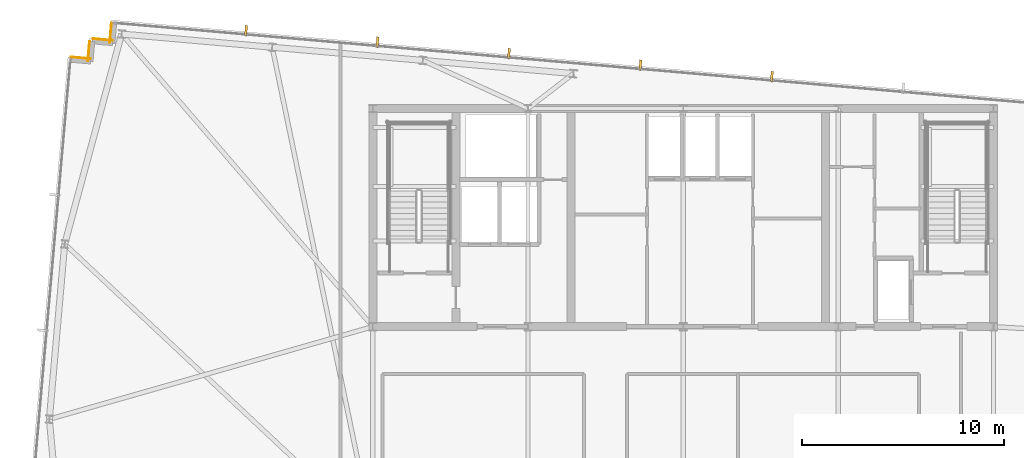
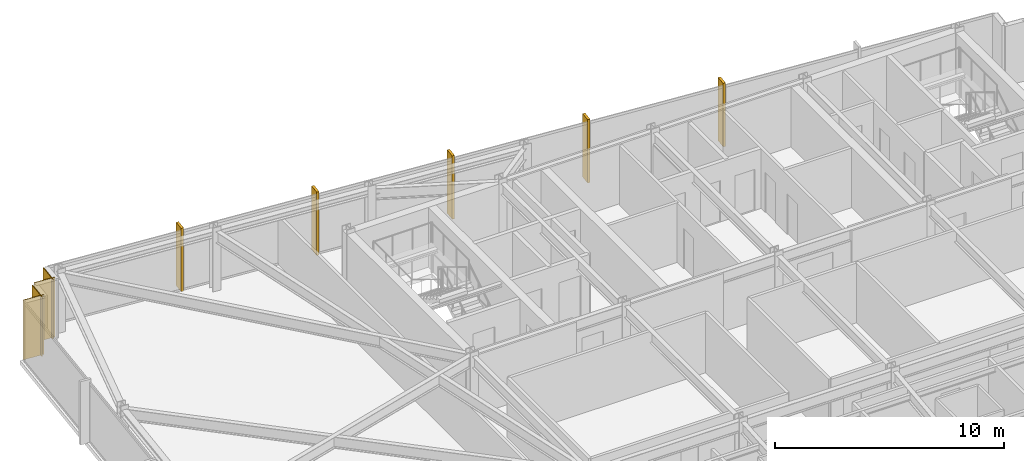
# One storey, part 33 of 33: 5 shading devices, 4 coverings.
"""IFC4 building model written with IfcOpenShell, lengths in metres."""

from ifc_helpers import new_model, si_unit, direction, frame, frame_2d, origin, origin_2d, place, context, subcontext, project, spatial, rectangle, extrude, material, layer, layer_set, type_object, element, save


model = new_model("IFC4")

# Units and contexts
model_context = context("Model", 3, precision=1e-05, world=origin(), true_north=direction((0.0, 1.0)))
body_context = subcontext(model_context, "Body", "Model", "MODEL_VIEW")
ifc_project = project(units=[si_unit("LENGTHUNIT", "METRE"), si_unit("AREAUNIT", "SQUARE_METRE"), si_unit("VOLUMEUNIT", "CUBIC_METRE"), si_unit("PLANEANGLEUNIT", "RADIAN"), si_unit("MASSUNIT", "GRAM", prefix="KILO")], contexts=[model_context])

# Site, building, storey
site_placement = place(None, origin())
site = spatial("IfcSite", under=ifc_project, at=site_placement, CompositionType="ELEMENT")
building_placement = place(site_placement, origin())
building = spatial("IfcBuilding", under=site, at=building_placement, Name="Yelkora Congress Tower", CompositionType="ELEMENT")
storey_placement = place(building_placement, frame((0.0, 0.0, 289.699951171875)))
storey = spatial("IfcBuildingStorey", under=building, at=storey_placement, Name="L81", CompositionType="ELEMENT", Elevation=289.699951171875)

# Coverings
ifc_material_1 = material(Name="Anatolian bush-hammered limestone", Category="masonry")
ifc_layer_1 = layer(ifc_material_1, 0.0400390625)
ifc_layer_set_1 = layer_set([ifc_layer_1], Name="Anatolian bush-hammered limestone")
covering_type = type_object("IfcCoveringType", Name="COV-CLAD-SPANDREL-40", PredefinedType="CLADDING", material=ifc_layer_set_1)
for number, where, z_axis, x_axis, name in (
    (1, (8.0849609375, 48.744140625, 0.0), (0.0, 0.0, 1.0), (0.996195572005, -0.087145753297, 0.0), "L81 Anatolian Limestone Cladding EW-L81-SR06"),
    (2, (8.93505859375, 48.5341796875, 0.0), (0.0, 0.0, 1.0), (0.087145753297, 0.996195572005, 0.0), "L81 Anatolian Limestone Cladding EW-L81-SR07"),
):
    element("IfcCovering", number, at=place(storey_placement, frame(where, z_axis=z_axis, x_axis=x_axis)), inside=storey, type_object=covering_type, Name=name, PredefinedType="CLADDING", context=body_context, shape_type="SweptSolid", body=[
        extrude(rectangle(XDim=1.000244140625, YDim=0.0400390625, at=frame_2d((0.5, 0.0))), origin(), (0.0, 0.0, 1.0), 3.179931640625),
    ])
covering_1_placement = place(storey_placement, frame((9.16845703125, 49.6533203125, 0.0), z_axis=(0.0, 0.0, 1.0), x_axis=(0.996193717496, -0.087166950281, 0.0)))
element("IfcCovering", 3, at=covering_1_placement, inside=storey, type_object=covering_type, Name="L81 Anatolian Limestone Cladding EW-L81-SR08", PredefinedType="CLADDING", context=body_context, shape_type="SweptSolid", body=[
    extrude(rectangle(XDim=1.0, YDim=0.0400390625, at=frame_2d((0.5, 0.0))), origin(), (0.0, 0.0, 1.0), 3.179931640625),
])
covering_2_placement = place(storey_placement, frame((10.018310546875, 49.443359375, 0.0), z_axis=(0.0, 0.0, 1.0), x_axis=(0.087145753297, 0.996195572005, 0.0)))
element("IfcCovering", 4, at=covering_2_placement, inside=storey, type_object=covering_type, Name="L81 Anatolian Limestone Cladding EW-L81-SR09", PredefinedType="CLADDING", context=body_context, shape_type="SweptSolid", body=[
    extrude(rectangle(XDim=1.000244140625, YDim=0.0400390625, at=frame_2d((0.5, 0.0))), origin(), (0.0, 0.0, 1.0), 3.179931640625),
])

# Shading devices
ifc_material_2 = material(Name="Champagne anodised aluminium", Category="aluminium")
ifc_layer_2 = layer(ifc_material_2, 3.300048828125)
ifc_layer_set_2 = layer_set([ifc_layer_2], Name="Champagne anodised aluminium")
shading_device_type = type_object("IfcShadingDeviceType", Name="SHD-FIN-ALU-520", PredefinedType="USERDEFINED", material=ifc_layer_set_2)
for number, where, z_axis, x_axis, name in (
    (5, (16.763916015625, 50.057861328125, -0.02978515625), (0.0, 0.0, 1.0), (0.996194698092, -0.087155742748, 0.0), "L81 Vertical Anodised Solar Fin 10-1"),
    (6, (23.2705078125, 49.488525390625, -0.02978515625), (0.0, 0.0, 1.0), (0.996194698092, -0.087155742748, 0.0), "L81 Vertical Anodised Solar Fin 10-2"),
    (7, (29.777099609375, 48.919189453125, -0.02978515625), (0.0, 0.0, 1.0), (0.996194698092, -0.087155742748, 0.0), "L81 Vertical Anodised Solar Fin 10-3"),
    (8, (36.28369140625, 48.35009765625, -0.02978515625), (0.0, 0.0, 1.0), (0.996194698092, -0.087155742748, 0.0), "L81 Vertical Anodised Solar Fin 10-4"),
    (9, (42.790283203125, 47.78076171875, -0.02978515625), (0.0, 0.0, 1.0), (0.996194698092, -0.087155742748, 0.0), "L81 Vertical Anodised Solar Fin 10-5"),
):
    element("IfcShadingDevice", number, at=place(storey_placement, frame(where, z_axis=z_axis, x_axis=x_axis)), inside=storey, type_object=shading_device_type, Name=name, ObjectType="FIN", PredefinedType="USERDEFINED", context=body_context, shape_type="SweptSolid", body=[
        extrude(rectangle(XDim=0.1201171875, YDim=0.52001953125, at=origin_2d()), origin(), (0.0, 0.0, 1.0), 3.3798828125),
    ])

save(model, "model.ifc")
